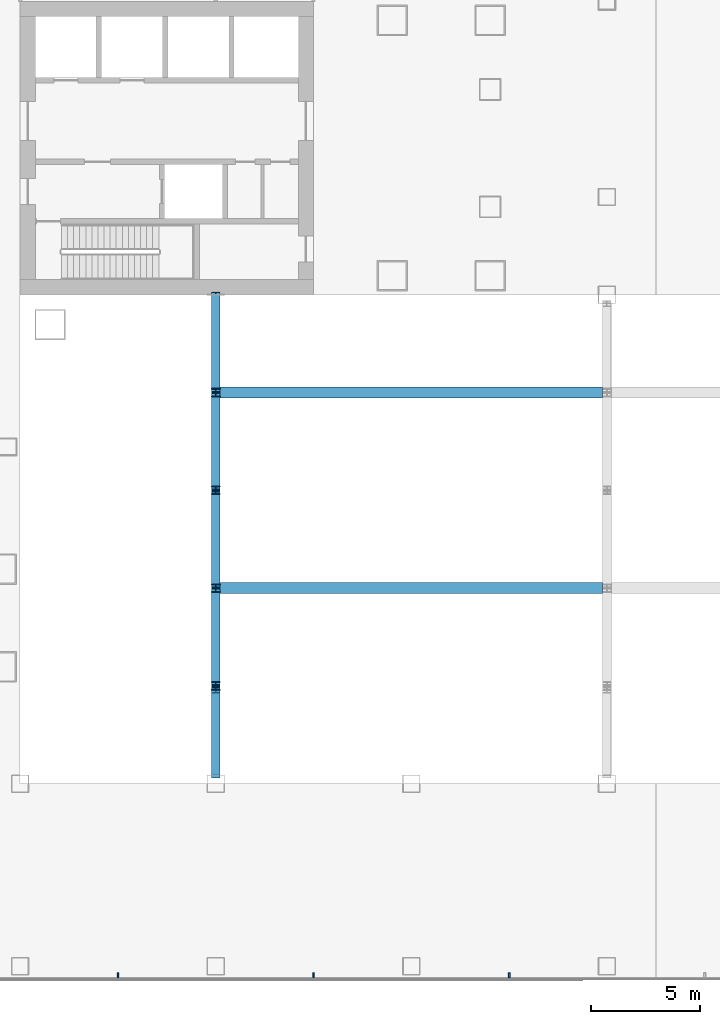
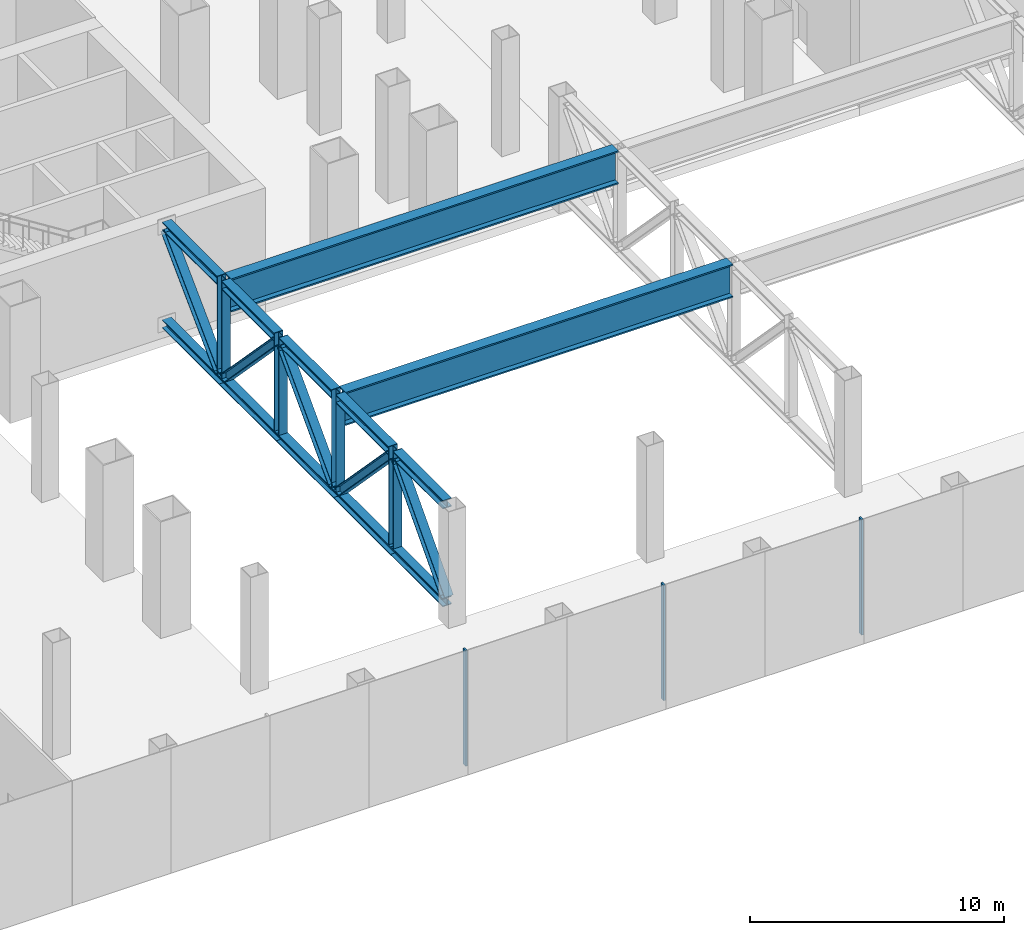
# One storey, part 6 of 33: 22 members, 2 beams, 1 element without a shape of its own.
"""IFC4 building model written with IfcOpenShell, lengths in metres."""

from ifc_helpers import new_model, si_unit, direction, frame, origin, origin_2d, place, context, subcontext, project, spatial, rectangle, i_section, extrude, material, layer, layer_set, material_profile, profile_set, type_object, element, aggregate, save


model = new_model("IFC4")

# Units and contexts
model_context = context("Model", 3, precision=1e-05, world=origin(), true_north=direction((0.0, 1.0)))
body_context = subcontext(model_context, "Body", "Model", "MODEL_VIEW")
ifc_project = project(units=[si_unit("LENGTHUNIT", "METRE"), si_unit("AREAUNIT", "SQUARE_METRE"), si_unit("VOLUMEUNIT", "CUBIC_METRE"), si_unit("PLANEANGLEUNIT", "RADIAN"), si_unit("MASSUNIT", "GRAM", prefix="KILO")], contexts=[model_context])

# Site, building, storey
site_placement = place(None, origin())
site = spatial("IfcSite", under=ifc_project, at=site_placement, CompositionType="ELEMENT")
building_placement = place(site_placement, origin())
building = spatial("IfcBuilding", under=site, at=building_placement, Name="Shamsa Quay Exchange Towers", CompositionType="ELEMENT")
storey_placement = place(building_placement, frame((0.0, 0.0, 6.5)))
storey = spatial("IfcBuildingStorey", under=building, at=storey_placement, Name="L01", CompositionType="ELEMENT", Elevation=6.5)

# Curtain wall, members
ifc_material_1 = material(Name="Aluminium EN AW-6063 T6, black anodised", Category="aluminium")
ifc_layer = layer(ifc_material_1, 0.33203125)
ifc_layer_set = layer_set([ifc_layer], Name="CW-3 PODIUM SHOPFRONT GLAZING")
curtain_wall_type = type_object("IfcCurtainWallType", Name="CW-3 PODIUM SHOPFRONT GLAZING", PredefinedType="NOTDEFINED", material=ifc_layer_set)
curtain_wall_placement = place(storey_placement, origin())
curtain_wall = element("IfcCurtainWall", 1, at=curtain_wall_placement, inside=storey, type_object=curtain_wall_type, Name="CW3 PODIUM-L01-F03", PredefinedType="NOTDEFINED")
ifc_material_profile_1 = material_profile(ifc_material_1, rectangle(XDim=0.219970703125, YDim=0.080078125, at=origin_2d()), Name="MU80x220")
ifc_profile_set_1 = profile_set([ifc_material_profile_1], Name="Aluminium EN AW-6063 T6, black anodised")
member_type_1 = type_object("IfcMemberType", Name="CW3 MULLION 80x220", PredefinedType="MULLION", material=ifc_profile_set_1)
member_1_placement = place(storey_placement, frame((-22.5, -38.06005859375, 0.0), z_axis=(0.0, 0.0, 1.0), x_axis=(0.0, 1.0, 0.0)))
member_1 = element("IfcMember", 2, at=member_1_placement, type_object=member_type_1, Name="CW3 mullion", PredefinedType="MULLION", context=body_context, shape_type="SweptSolid", body=[
    extrude(rectangle(XDim=0.219970703125, YDim=0.080078125, at=origin_2d()), origin(), (0.0, 0.0, 1.0), 5.550048828125),
])
member_2_placement = place(storey_placement, frame((-13.5, -38.06005859375, 0.0), z_axis=(0.0, 0.0, 1.0), x_axis=(0.0, 1.0, 0.0)))
member_2 = element("IfcMember", 3, at=member_2_placement, type_object=member_type_1, Name="CW3 mullion", PredefinedType="MULLION", context=body_context, shape_type="SweptSolid", body=[
    extrude(rectangle(XDim=0.219970703125, YDim=0.080078125, at=origin_2d()), origin(), (0.0, 0.0, 1.0), 5.550048828125),
])
member_3_placement = place(storey_placement, frame((-4.5, -38.06005859375, 0.0), z_axis=(0.0, 0.0, 1.0), x_axis=(0.0, 1.0, 0.0)))
member_3 = element("IfcMember", 4, at=member_3_placement, type_object=member_type_1, Name="CW3 mullion", PredefinedType="MULLION", context=body_context, shape_type="SweptSolid", body=[
    extrude(rectangle(XDim=0.219970703125, YDim=0.080078125, at=origin_2d()), origin(), (0.0, 0.0, 1.0), 5.550048828125),
])
aggregate(curtain_wall, [member_1, member_2, member_3])

# Beams
ifc_material_2 = material(Name="Steel S355", Category="steel")
ifc_material_profile_2 = material_profile(ifc_material_2, i_section(OverallWidth=0.5, OverallDepth=1.60009765625, WebThickness=0.0400390625, FlangeThickness=0.070068359375, at=origin_2d()), Name="PG1600x500x40x70")
ifc_profile_set_2 = profile_set([ifc_material_profile_2], Name="Steel S355")
beam_type = type_object("IfcBeamType", Name="Hall transfer girder PG1600x500x40x70", PredefinedType="BEAM", material=ifc_profile_set_2)
for number, where, z_axis, x_axis, name in (
    (5, (-17.80322265625, -20.25, 4.800048828125), (1.0, 0.0, 0.0), (0.0, 1.0, 0.0), "Hall transfer girder"),
    (6, (-17.80322265625, -11.25, 4.800048828125), (1.0, 0.0, 0.0), (0.0, 1.0, 0.0), "Hall transfer girder"),
):
    element("IfcBeam", number, at=place(storey_placement, frame(where, z_axis=z_axis, x_axis=x_axis)), inside=storey, type_object=beam_type, Name=name, PredefinedType="BEAM", context=body_context, shape_type="SweptSolid", body=[
        extrude(i_section(OverallWidth=0.5, OverallDepth=1.60009765625, WebThickness=0.0400390625, FlangeThickness=0.070068359375, at=origin_2d()), origin(), (0.0, 0.0, 1.0), 17.6064453125),
    ])

# Members
ifc_material_profile_3 = material_profile(ifc_material_2, i_section(OverallWidth=0.403564453125, OverallDepth=0.407470703125, WebThickness=0.027099609375, FlangeThickness=0.043701171875, at=origin_2d()), Name="W14x233")
ifc_profile_set_3 = profile_set([ifc_material_profile_3], Name="Steel S355")
member_type_2 = type_object("IfcMemberType", Name="Hall truss chord W14x233", PredefinedType="CHORD", material=ifc_profile_set_3)
member_4_placement = place(storey_placement, frame((-18.0, -28.85009765625, 5.396240234375), z_axis=(0.0, 1.0, 0.0), x_axis=(-1.0, 0.0, 0.0)))
element("IfcMember", 7, at=member_4_placement, inside=storey, type_object=member_type_2, Name="Hall transfer truss top chord", PredefinedType="CHORD", context=body_context, shape_type="SweptSolid", body=[
    extrude(i_section(OverallWidth=0.403564453125, OverallDepth=0.407470703125, WebThickness=0.027099609375, FlangeThickness=0.043701171875, at=origin_2d()), origin(), (0.0, 0.0, 1.0), 3.912353515625),
])
for number, where, z_axis, x_axis, name in (
    (8, (-18.0, -24.562255859375, 5.396240234375), (0.0, 1.0, 0.0), (-1.0, 0.0, 0.0), "Hall transfer truss top chord"),
    (9, (-18.0, -20.062255859375, 5.396240234375), (0.0, 1.0, 0.0), (-1.0, 0.0, 0.0), "Hall transfer truss top chord"),
    (10, (-18.0, -15.562255859375, 5.396240234375), (0.0, 1.0, 0.0), (-1.0, 0.0, 0.0), "Hall transfer truss top chord"),
):
    element("IfcMember", number, at=place(storey_placement, frame(where, z_axis=z_axis, x_axis=x_axis)), inside=storey, type_object=member_type_2, Name=name, PredefinedType="CHORD", context=body_context, shape_type="SweptSolid", body=[
        extrude(i_section(OverallWidth=0.403564453125, OverallDepth=0.407470703125, WebThickness=0.027099609375, FlangeThickness=0.043701171875, at=origin_2d()), origin(), (0.0, 0.0, 1.0), 4.12451171875),
    ])
member_5_placement = place(storey_placement, frame((-18.0, -11.062255859375, 5.396240234375), z_axis=(0.0, 1.0, 0.0), x_axis=(-1.0, 0.0, 0.0)))
element("IfcMember", 11, at=member_5_placement, inside=storey, type_object=member_type_2, Name="Hall transfer truss top chord", PredefinedType="CHORD", context=body_context, shape_type="SweptSolid", body=[
    extrude(i_section(OverallWidth=0.403564453125, OverallDepth=0.407470703125, WebThickness=0.027099609375, FlangeThickness=0.043701171875, at=origin_2d()), origin(), (0.0, 0.0, 1.0), 4.312255859375),
])
member_6_placement = place(storey_placement, frame((-18.0, -28.85009765625, 0.6962890625), z_axis=(0.0, 1.0, 0.0), x_axis=(-1.0, 0.0, 0.0)))
element("IfcMember", 12, at=member_6_placement, inside=storey, type_object=member_type_2, Name="Hall transfer truss bottom chord", PredefinedType="CHORD", context=body_context, shape_type="SweptSolid", body=[
    extrude(i_section(OverallWidth=0.403564453125, OverallDepth=0.407470703125, WebThickness=0.027099609375, FlangeThickness=0.043701171875, at=origin_2d()), origin(), (0.0, 0.0, 1.0), 4.10009765625),
])
for number, where, z_axis, x_axis, name in (
    (13, (-18.0, -24.75, 0.6962890625), (0.0, 1.0, 0.0), (-1.0, 0.0, 0.0), "Hall transfer truss bottom chord"),
    (14, (-18.0, -20.25, 0.6962890625), (0.0, 1.0, 0.0), (-1.0, 0.0, 0.0), "Hall transfer truss bottom chord"),
    (15, (-18.0, -15.75, 0.6962890625), (0.0, 1.0, 0.0), (-1.0, 0.0, 0.0), "Hall transfer truss bottom chord"),
    (16, (-18.0, -11.25, 0.6962890625), (0.0, 1.0, 0.0), (-1.0, 0.0, 0.0), "Hall transfer truss bottom chord"),
):
    element("IfcMember", number, at=place(storey_placement, frame(where, z_axis=z_axis, x_axis=x_axis)), inside=storey, type_object=member_type_2, Name=name, PredefinedType="CHORD", context=body_context, shape_type="SweptSolid", body=[
        extrude(i_section(OverallWidth=0.403564453125, OverallDepth=0.407470703125, WebThickness=0.027099609375, FlangeThickness=0.043701171875, at=origin_2d()), origin(), (0.0, 0.0, 1.0), 4.5),
    ])
ifc_material_profile_4 = material_profile(ifc_material_2, i_section(OverallWidth=0.3955078125, OverallDepth=0.380615234375, WebThickness=0.018798828125, FlangeThickness=0.0302734375, at=origin_2d()), Name="W14x159")
ifc_profile_set_4 = profile_set([ifc_material_profile_4], Name="Steel S355")
member_type_3 = type_object("IfcMemberType", Name="Hall truss diagonal W14x159", PredefinedType="BRACE", material=ifc_profile_set_4)
member_7_placement = place(storey_placement, frame((-18.0, -28.85009765625, 0.89990234375), z_axis=(0.0, 0.673603297749, 0.739093091066), x_axis=(-1.0, 0.0, 0.0)))
element("IfcMember", 17, at=member_7_placement, inside=storey, type_object=member_type_3, Name="Hall transfer truss diagonal", PredefinedType="BRACE", context=body_context, shape_type="SweptSolid", body=[
    extrude(i_section(OverallWidth=0.3955078125, OverallDepth=0.380615234375, WebThickness=0.018798828125, FlangeThickness=0.0302734375, at=origin_2d()), origin(), (0.0, 0.0, 1.0), 5.80810546875),
])
for number, where, z_axis, x_axis, name in (
    (18, (-18.0, -24.562255859375, 5.192626953125), (0.0, 0.692837383986, -0.721093863066), (-1.0, 0.0, 0.0), "Hall transfer truss diagonal"),
    (19, (-18.0, -20.062255859375, 0.89990234375), (0.0, 0.692837383986, 0.721093863066), (-1.0, 0.0, 0.0), "Hall transfer truss diagonal"),
    (20, (-18.0, -15.562255859375, 5.192626953125), (0.0, 0.692837383986, -0.721093863066), (-1.0, 0.0, 0.0), "Hall transfer truss diagonal"),
):
    element("IfcMember", number, at=place(storey_placement, frame(where, z_axis=z_axis, x_axis=x_axis)), inside=storey, type_object=member_type_3, Name=name, PredefinedType="BRACE", context=body_context, shape_type="SweptSolid", body=[
        extrude(i_section(OverallWidth=0.3955078125, OverallDepth=0.380615234375, WebThickness=0.018798828125, FlangeThickness=0.0302734375, at=origin_2d()), origin(), (0.0, 0.0, 1.0), 5.953125),
    ])
member_8_placement = place(storey_placement, frame((-18.0, -11.062255859375, 0.89990234375), z_axis=(0.0, 0.708709919088, 0.705500000415), x_axis=(-1.0, 0.0, 0.0)))
element("IfcMember", 21, at=member_8_placement, inside=storey, type_object=member_type_3, Name="Hall transfer truss diagonal", PredefinedType="BRACE", context=body_context, shape_type="SweptSolid", body=[
    extrude(i_section(OverallWidth=0.3955078125, OverallDepth=0.380615234375, WebThickness=0.018798828125, FlangeThickness=0.0302734375, at=origin_2d()), origin(), (0.0, 0.0, 1.0), 6.084716796875),
])
ifc_material_profile_5 = material_profile(ifc_material_2, i_section(OverallWidth=0.393798828125, OverallDepth=0.37548828125, WebThickness=0.017333984375, FlangeThickness=0.027587890625, at=origin_2d()), Name="W14x145")
ifc_profile_set_5 = profile_set([ifc_material_profile_5], Name="Steel S355")
member_type_4 = type_object("IfcMemberType", Name="Hall truss post W14x145", PredefinedType="POST", material=ifc_profile_set_5)
for number, where, z_axis, x_axis, name in (
    (22, (-18.0, -24.75, 0.89990234375), (0.0, 0.0, 1.0), (-1.0, 0.0, 0.0), "Hall transfer truss post"),
    (23, (-18.0, -20.25, 0.89990234375), (0.0, 0.0, 1.0), (-1.0, 0.0, 0.0), "Hall transfer truss post"),
    (24, (-18.0, -15.75, 0.89990234375), (0.0, 0.0, 1.0), (-1.0, 0.0, 0.0), "Hall transfer truss post"),
    (25, (-18.0, -11.25, 0.89990234375), (0.0, 0.0, 1.0), (-1.0, 0.0, 0.0), "Hall transfer truss post"),
):
    element("IfcMember", number, at=place(storey_placement, frame(where, z_axis=z_axis, x_axis=x_axis)), inside=storey, type_object=member_type_4, Name=name, PredefinedType="POST", context=body_context, shape_type="SweptSolid", body=[
        extrude(i_section(OverallWidth=0.393798828125, OverallDepth=0.37548828125, WebThickness=0.017333984375, FlangeThickness=0.027587890625, at=origin_2d()), origin(), (0.0, 0.0, 1.0), 4.7001953125),
    ])

save(model, "model.ifc")
